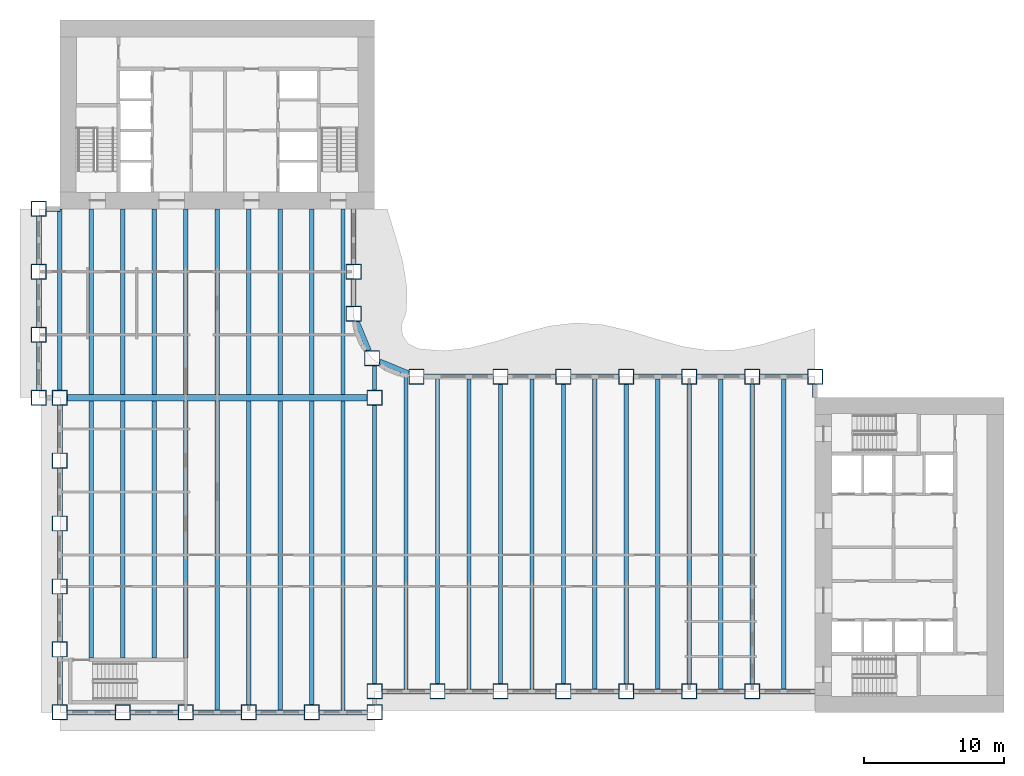
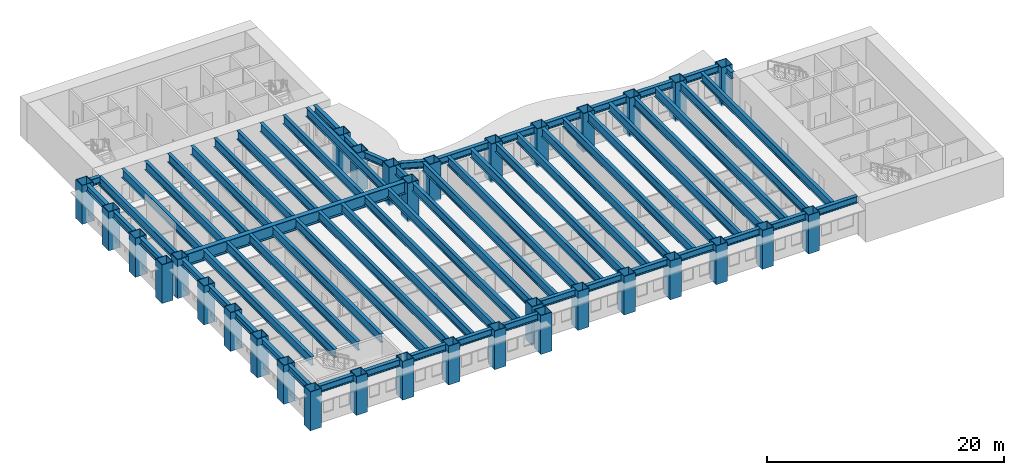
# One storey, part 1 of 15: 67 beams, 33 columns.
"""IFC4 building model written with IfcOpenShell, lengths in metres."""

from ifc_helpers import new_model, si_unit, direction, frame, origin, origin_2d, place, context, subcontext, project, spatial, hollow_rectangle, i_section, extrude, material, material_profile, profile_set, type_object, element, save


model = new_model("IFC4")

# Units and contexts
model_context = context("Model", 3, precision=1e-05, world=origin(), true_north=direction((0.0, 1.0)))
body_context = subcontext(model_context, "Body", "Model", "MODEL_VIEW")
ifc_project = project(units=[si_unit("LENGTHUNIT", "METRE"), si_unit("AREAUNIT", "SQUARE_METRE"), si_unit("VOLUMEUNIT", "CUBIC_METRE"), si_unit("PLANEANGLEUNIT", "RADIAN"), si_unit("MASSUNIT", "GRAM", prefix="KILO")], contexts=[model_context])

# Site, building, storey
site_placement = place(None, origin())
site = spatial("IfcSite", under=ifc_project, at=site_placement, CompositionType="ELEMENT")
building_placement = place(site_placement, origin())
building = spatial("IfcBuilding", under=site, at=building_placement, Name="Sennacour Bend Tower", CompositionType="ELEMENT")
storey_placement = place(building_placement, frame((0.0, 0.0, 37.0)))
storey = spatial("IfcBuildingStorey", under=building, at=storey_placement, Name="L07", CompositionType="ELEMENT", Elevation=37.0)

# Columns
ifc_material_1 = material(Name="Steel ASTM A572 Grade 50", Category="steel")
ifc_material_profile_1 = material_profile(ifc_material_1, hollow_rectangle(XDim=1.10009765625, YDim=1.10009765625, WallThickness=0.06005859375, at=origin_2d()), Name="Steel ASTM A572 Grade 50", Category="steel")
ifc_profile_set_1 = profile_set([ifc_material_profile_1], Name="Steel ASTM A572 Grade 50")
column_type = type_object("IfcColumnType", Name="Box column 1100", PredefinedType="COLUMN", material=ifc_profile_set_1)
for number, where, z_axis, x_axis, name in (
    (1, (-1.5, 22.5, -0.14990234375), (0.0, 0.0, 1.0), (1.0, 0.0, 0.0), "Perimeter column C1 L07-001"),
    (2, (-1.5, 27.0, -0.14990234375), (0.0, 0.0, 1.0), (1.0, 0.0, 0.0), "Perimeter column C1 L07-002"),
    (3, (-1.5, 31.5, -0.14990234375), (0.0, 0.0, 1.0), (1.0, 0.0, 0.0), "Perimeter column C1 L07-003"),
    (4, (-1.5, 36.0, -0.14990234375), (0.0, 0.0, 1.0), (1.0, 0.0, 0.0), "Perimeter column C1 L07-004"),
    (5, (0.0, 0.0, -0.14990234375), (0.0, 0.0, 1.0), (1.0, 0.0, 0.0), "Perimeter column C1 L07-005"),
    (6, (0.0, 4.5, -0.14990234375), (0.0, 0.0, 1.0), (1.0, 0.0, 0.0), "Perimeter column C1 L07-006"),
    (7, (0.0, 9.0, -0.14990234375), (0.0, 0.0, 1.0), (1.0, 0.0, 0.0), "Perimeter column C1 L07-007"),
    (8, (0.0, 13.5, -0.14990234375), (0.0, 0.0, 1.0), (1.0, 0.0, 0.0), "Perimeter column C1 L07-008"),
    (9, (0.0, 18.0, -0.14990234375), (0.0, 0.0, 1.0), (1.0, 0.0, 0.0), "Perimeter column C1 L07-009"),
    (10, (0.0, 22.5, -0.14990234375), (0.0, 0.0, 1.0), (1.0, 0.0, 0.0), "Perimeter column C1 L07-010"),
    (11, (4.5, 0.0, -0.14990234375), (0.0, 0.0, 1.0), (1.0, 0.0, 0.0), "Perimeter column C1 L07-011"),
    (12, (9.0, 0.0, -0.14990234375), (0.0, 0.0, 1.0), (1.0, 0.0, 0.0), "Perimeter column C1 L07-012"),
    (13, (13.5, 0.0, -0.14990234375), (0.0, 0.0, 1.0), (1.0, 0.0, 0.0), "Perimeter column C1 L07-013"),
    (14, (18.0, 0.0, -0.14990234375), (0.0, 0.0, 1.0), (1.0, 0.0, 0.0), "Perimeter column C1 L07-014"),
    (15, (21.0, 28.5, -0.14990234375), (0.0, 0.0, 1.0), (1.0, 0.0, 0.0), "Perimeter column C1 L07-015"),
    (16, (21.0, 31.5, -0.14990234375), (0.0, 0.0, 1.0), (1.0, 0.0, 0.0), "Perimeter column C1 L07-016"),
    (17, (22.318115234375, 25.318115234375, -0.14990234375), (0.0, 0.0, 1.0), (1.0, 0.0, 0.0), "Perimeter column C1 L07-017"),
    (18, (22.5, 0.0, -0.14990234375), (0.0, 0.0, 1.0), (1.0, 0.0, 0.0), "Perimeter column C1 L07-018"),
    (19, (22.5, 1.5, -0.14990234375), (0.0, 0.0, 1.0), (1.0, 0.0, 0.0), "Perimeter column C1 L07-019"),
    (20, (22.5, 22.5, -0.14990234375), (0.0, 0.0, 1.0), (1.0, 0.0, 0.0), "Knuckle column C1 L07-020"),
    (21, (25.5, 24.0, -0.14990234375), (0.0, 0.0, 1.0), (1.0, 0.0, 0.0), "Perimeter column C1 L07-021"),
    (22, (27.0, 1.5, -0.14990234375), (0.0, 0.0, 1.0), (1.0, 0.0, 0.0), "Perimeter column C1 L07-022"),
    (23, (31.5, 1.5, -0.14990234375), (0.0, 0.0, 1.0), (1.0, 0.0, 0.0), "Perimeter column C1 L07-023"),
    (24, (31.5, 24.0, -0.14990234375), (0.0, 0.0, 1.0), (1.0, 0.0, 0.0), "Perimeter column C1 L07-024"),
    (25, (36.0, 1.5, -0.14990234375), (0.0, 0.0, 1.0), (1.0, 0.0, 0.0), "Perimeter column C1 L07-025"),
    (26, (36.0, 24.0, -0.14990234375), (0.0, 0.0, 1.0), (1.0, 0.0, 0.0), "Perimeter column C1 L07-026"),
    (27, (40.5, 1.5, -0.14990234375), (0.0, 0.0, 1.0), (1.0, 0.0, 0.0), "Perimeter column C1 L07-027"),
    (28, (40.5, 24.0, -0.14990234375), (0.0, 0.0, 1.0), (1.0, 0.0, 0.0), "Perimeter column C1 L07-028"),
    (29, (45.0, 1.5, -0.14990234375), (0.0, 0.0, 1.0), (1.0, 0.0, 0.0), "Perimeter column C1 L07-029"),
    (30, (45.0, 24.0, -0.14990234375), (0.0, 0.0, 1.0), (1.0, 0.0, 0.0), "Perimeter column C1 L07-030"),
    (31, (49.5, 1.5, -0.14990234375), (0.0, 0.0, 1.0), (1.0, 0.0, 0.0), "Perimeter column C1 L07-031"),
    (32, (49.5, 24.0, -0.14990234375), (0.0, 0.0, 1.0), (1.0, 0.0, 0.0), "Perimeter column C1 L07-032"),
    (33, (54.0, 24.0, -0.14990234375), (0.0, 0.0, 1.0), (1.0, 0.0, 0.0), "Perimeter column C1 L07-033"),
):
    element("IfcColumn", number, at=place(storey_placement, frame(where, z_axis=z_axis, x_axis=x_axis)), inside=storey, type_object=column_type, Name=name, PredefinedType="COLUMN", context=body_context, shape_type="SweptSolid", body=[
        extrude(hollow_rectangle(XDim=1.10009765625, YDim=1.10009765625, WallThickness=0.06005859375, at=origin_2d()), origin(), (0.0, 0.0, 1.0), 4.0),
    ])

# Beams
ifc_material_2 = material(Name="Steel ASTM A992 Grade 50", Category="steel")
ifc_material_profile_2 = material_profile(ifc_material_2, i_section(OverallWidth=0.304931640625, OverallDepth=0.912109375, WebThickness=0.015869140625, FlangeThickness=0.02392578125, FilletRadius=0.01904296875, at=origin_2d()), Name="Steel ASTM A992 Grade 50", Category="steel")
ifc_profile_set_2 = profile_set([ifc_material_profile_2], Name="Steel ASTM A992 Grade 50")
beam_type_1 = type_object("IfcBeamType", Name="Floor beam W920X223", PredefinedType="BEAM", material=ifc_profile_set_2)
beam_1_placement = place(storey_placement, frame((0.0, 23.050048828125, 3.39404296875), z_axis=(0.0, 1.0, 0.0), x_axis=(-1.0, 0.0, 0.0)))
element("IfcBeam", 34, at=beam_1_placement, inside=storey, type_object=beam_type_1, Name="Floor beam FBM1 L08-001", PredefinedType="BEAM", context=body_context, shape_type="SweptSolid", body=[
    extrude(i_section(OverallWidth=0.304931640625, OverallDepth=0.912109375, WebThickness=0.015869140625, FlangeThickness=0.02392578125, FilletRadius=0.01904296875, at=origin_2d()), origin(), (0.0, 0.0, 1.0), 12.949951171875),
])
beam_2_placement = place(storey_placement, frame((2.25, 3.875, 3.39404296875), z_axis=(0.0, 1.0, 0.0), x_axis=(-1.0, 0.0, 0.0)))
element("IfcBeam", 35, at=beam_2_placement, inside=storey, type_object=beam_type_1, Name="Floor beam FBM1 L08-002", PredefinedType="BEAM", context=body_context, shape_type="SweptSolid", body=[
    extrude(i_section(OverallWidth=0.304931640625, OverallDepth=0.912109375, WebThickness=0.015869140625, FlangeThickness=0.02392578125, FilletRadius=0.01904296875, at=origin_2d()), origin(), (0.0, 0.0, 1.0), 18.39990234375),
])
beam_3_placement = place(storey_placement, frame((2.25, 22.72509765625, 3.39404296875), z_axis=(0.0, 1.0, 0.0), x_axis=(-1.0, 0.0, 0.0)))
element("IfcBeam", 36, at=beam_3_placement, inside=storey, type_object=beam_type_1, Name="Floor beam FBM1 L08-003", PredefinedType="BEAM", context=body_context, shape_type="SweptSolid", body=[
    extrude(i_section(OverallWidth=0.304931640625, OverallDepth=0.912109375, WebThickness=0.015869140625, FlangeThickness=0.02392578125, FilletRadius=0.01904296875, at=origin_2d()), origin(), (0.0, 0.0, 1.0), 13.27490234375),
])
beam_4_placement = place(storey_placement, frame((4.5, 3.875, 3.39404296875), z_axis=(0.0, 1.0, 0.0), x_axis=(-1.0, 0.0, 0.0)))
element("IfcBeam", 37, at=beam_4_placement, inside=storey, type_object=beam_type_1, Name="Floor beam FBM1 L08-004", PredefinedType="BEAM", context=body_context, shape_type="SweptSolid", body=[
    extrude(i_section(OverallWidth=0.304931640625, OverallDepth=0.912109375, WebThickness=0.015869140625, FlangeThickness=0.02392578125, FilletRadius=0.01904296875, at=origin_2d()), origin(), (0.0, 0.0, 1.0), 18.39990234375),
])
beam_5_placement = place(storey_placement, frame((4.5, 22.72509765625, 3.39404296875), z_axis=(0.0, 1.0, 0.0), x_axis=(-1.0, 0.0, 0.0)))
element("IfcBeam", 38, at=beam_5_placement, inside=storey, type_object=beam_type_1, Name="Floor beam FBM1 L08-005", PredefinedType="BEAM", context=body_context, shape_type="SweptSolid", body=[
    extrude(i_section(OverallWidth=0.304931640625, OverallDepth=0.912109375, WebThickness=0.015869140625, FlangeThickness=0.02392578125, FilletRadius=0.01904296875, at=origin_2d()), origin(), (0.0, 0.0, 1.0), 13.27490234375),
])
beam_6_placement = place(storey_placement, frame((6.75, 3.875, 3.39404296875), z_axis=(0.0, 1.0, 0.0), x_axis=(-1.0, 0.0, 0.0)))
element("IfcBeam", 39, at=beam_6_placement, inside=storey, type_object=beam_type_1, Name="Floor beam FBM1 L08-006", PredefinedType="BEAM", context=body_context, shape_type="SweptSolid", body=[
    extrude(i_section(OverallWidth=0.304931640625, OverallDepth=0.912109375, WebThickness=0.015869140625, FlangeThickness=0.02392578125, FilletRadius=0.01904296875, at=origin_2d()), origin(), (0.0, 0.0, 1.0), 18.39990234375),
])
beam_7_placement = place(storey_placement, frame((6.75, 22.72509765625, 3.39404296875), z_axis=(0.0, 1.0, 0.0), x_axis=(-1.0, 0.0, 0.0)))
element("IfcBeam", 40, at=beam_7_placement, inside=storey, type_object=beam_type_1, Name="Floor beam FBM1 L08-007", PredefinedType="BEAM", context=body_context, shape_type="SweptSolid", body=[
    extrude(i_section(OverallWidth=0.304931640625, OverallDepth=0.912109375, WebThickness=0.015869140625, FlangeThickness=0.02392578125, FilletRadius=0.01904296875, at=origin_2d()), origin(), (0.0, 0.0, 1.0), 13.27490234375),
])
beam_8_placement = place(storey_placement, frame((9.0, 3.875, 3.39404296875), z_axis=(0.0, 1.0, 0.0), x_axis=(-1.0, 0.0, 0.0)))
element("IfcBeam", 41, at=beam_8_placement, inside=storey, type_object=beam_type_1, Name="Floor beam FBM1 L08-008", PredefinedType="BEAM", context=body_context, shape_type="SweptSolid", body=[
    extrude(i_section(OverallWidth=0.304931640625, OverallDepth=0.912109375, WebThickness=0.015869140625, FlangeThickness=0.02392578125, FilletRadius=0.01904296875, at=origin_2d()), origin(), (0.0, 0.0, 1.0), 18.39990234375),
])
beam_9_placement = place(storey_placement, frame((9.0, 22.72509765625, 3.39404296875), z_axis=(0.0, 1.0, 0.0), x_axis=(-1.0, 0.0, 0.0)))
element("IfcBeam", 42, at=beam_9_placement, inside=storey, type_object=beam_type_1, Name="Floor beam FBM1 L08-009", PredefinedType="BEAM", context=body_context, shape_type="SweptSolid", body=[
    extrude(i_section(OverallWidth=0.304931640625, OverallDepth=0.912109375, WebThickness=0.015869140625, FlangeThickness=0.02392578125, FilletRadius=0.01904296875, at=origin_2d()), origin(), (0.0, 0.0, 1.0), 13.27490234375),
])
beam_10_placement = place(storey_placement, frame((11.25, 0.178955078125, 3.39404296875), z_axis=(0.0, 1.0, 0.0), x_axis=(-1.0, 0.0, 0.0)))
element("IfcBeam", 43, at=beam_10_placement, inside=storey, type_object=beam_type_1, Name="Floor beam FBM1 L08-010", PredefinedType="BEAM", context=body_context, shape_type="SweptSolid", body=[
    extrude(i_section(OverallWidth=0.304931640625, OverallDepth=0.912109375, WebThickness=0.015869140625, FlangeThickness=0.02392578125, FilletRadius=0.01904296875, at=origin_2d()), origin(), (0.0, 0.0, 1.0), 22.095947265625),
])
beam_11_placement = place(storey_placement, frame((11.25, 22.72509765625, 3.39404296875), z_axis=(0.0, 1.0, 0.0), x_axis=(-1.0, 0.0, 0.0)))
element("IfcBeam", 44, at=beam_11_placement, inside=storey, type_object=beam_type_1, Name="Floor beam FBM1 L08-011", PredefinedType="BEAM", context=body_context, shape_type="SweptSolid", body=[
    extrude(i_section(OverallWidth=0.304931640625, OverallDepth=0.912109375, WebThickness=0.015869140625, FlangeThickness=0.02392578125, FilletRadius=0.01904296875, at=origin_2d()), origin(), (0.0, 0.0, 1.0), 13.27490234375),
])
beam_12_placement = place(storey_placement, frame((13.5, 0.550048828125, 3.39404296875), z_axis=(0.0, 1.0, 0.0), x_axis=(-1.0, 0.0, 0.0)))
element("IfcBeam", 45, at=beam_12_placement, inside=storey, type_object=beam_type_1, Name="Floor beam FBM1 L08-012", PredefinedType="BEAM", context=body_context, shape_type="SweptSolid", body=[
    extrude(i_section(OverallWidth=0.304931640625, OverallDepth=0.912109375, WebThickness=0.015869140625, FlangeThickness=0.02392578125, FilletRadius=0.01904296875, at=origin_2d()), origin(), (0.0, 0.0, 1.0), 21.724853515625),
])
beam_13_placement = place(storey_placement, frame((13.5, 22.72509765625, 3.39404296875), z_axis=(0.0, 1.0, 0.0), x_axis=(-1.0, 0.0, 0.0)))
element("IfcBeam", 46, at=beam_13_placement, inside=storey, type_object=beam_type_1, Name="Floor beam FBM1 L08-013", PredefinedType="BEAM", context=body_context, shape_type="SweptSolid", body=[
    extrude(i_section(OverallWidth=0.304931640625, OverallDepth=0.912109375, WebThickness=0.015869140625, FlangeThickness=0.02392578125, FilletRadius=0.01904296875, at=origin_2d()), origin(), (0.0, 0.0, 1.0), 13.27490234375),
])
beam_14_placement = place(storey_placement, frame((15.75, 0.178955078125, 3.39404296875), z_axis=(0.0, 1.0, 0.0), x_axis=(-1.0, 0.0, 0.0)))
element("IfcBeam", 47, at=beam_14_placement, inside=storey, type_object=beam_type_1, Name="Floor beam FBM1 L08-014", PredefinedType="BEAM", context=body_context, shape_type="SweptSolid", body=[
    extrude(i_section(OverallWidth=0.304931640625, OverallDepth=0.912109375, WebThickness=0.015869140625, FlangeThickness=0.02392578125, FilletRadius=0.01904296875, at=origin_2d()), origin(), (0.0, 0.0, 1.0), 22.095947265625),
])
beam_15_placement = place(storey_placement, frame((15.75, 22.72509765625, 3.39404296875), z_axis=(0.0, 1.0, 0.0), x_axis=(-1.0, 0.0, 0.0)))
element("IfcBeam", 48, at=beam_15_placement, inside=storey, type_object=beam_type_1, Name="Floor beam FBM1 L08-015", PredefinedType="BEAM", context=body_context, shape_type="SweptSolid", body=[
    extrude(i_section(OverallWidth=0.304931640625, OverallDepth=0.912109375, WebThickness=0.015869140625, FlangeThickness=0.02392578125, FilletRadius=0.01904296875, at=origin_2d()), origin(), (0.0, 0.0, 1.0), 13.27490234375),
])
beam_16_placement = place(storey_placement, frame((18.0, 0.550048828125, 3.39404296875), z_axis=(0.0, 1.0, 0.0), x_axis=(-1.0, 0.0, 0.0)))
element("IfcBeam", 49, at=beam_16_placement, inside=storey, type_object=beam_type_1, Name="Floor beam FBM1 L08-016", PredefinedType="BEAM", context=body_context, shape_type="SweptSolid", body=[
    extrude(i_section(OverallWidth=0.304931640625, OverallDepth=0.912109375, WebThickness=0.015869140625, FlangeThickness=0.02392578125, FilletRadius=0.01904296875, at=origin_2d()), origin(), (0.0, 0.0, 1.0), 21.724853515625),
])
beam_17_placement = place(storey_placement, frame((18.0, 22.72509765625, 3.39404296875), z_axis=(0.0, 1.0, 0.0), x_axis=(-1.0, 0.0, 0.0)))
element("IfcBeam", 50, at=beam_17_placement, inside=storey, type_object=beam_type_1, Name="Floor beam FBM1 L08-017", PredefinedType="BEAM", context=body_context, shape_type="SweptSolid", body=[
    extrude(i_section(OverallWidth=0.304931640625, OverallDepth=0.912109375, WebThickness=0.015869140625, FlangeThickness=0.02392578125, FilletRadius=0.01904296875, at=origin_2d()), origin(), (0.0, 0.0, 1.0), 13.27490234375),
])
beam_18_placement = place(storey_placement, frame((20.25, 0.178955078125, 3.39404296875), z_axis=(0.0, 1.0, 0.0), x_axis=(-1.0, 0.0, 0.0)))
element("IfcBeam", 51, at=beam_18_placement, inside=storey, type_object=beam_type_1, Name="Floor beam FBM1 L08-018", PredefinedType="BEAM", context=body_context, shape_type="SweptSolid", body=[
    extrude(i_section(OverallWidth=0.304931640625, OverallDepth=0.912109375, WebThickness=0.015869140625, FlangeThickness=0.02392578125, FilletRadius=0.01904296875, at=origin_2d()), origin(), (0.0, 0.0, 1.0), 22.095947265625),
])
beam_19_placement = place(storey_placement, frame((20.25, 22.72509765625, 3.39404296875), z_axis=(0.0, 1.0, 0.0), x_axis=(-1.0, 0.0, 0.0)))
element("IfcBeam", 52, at=beam_19_placement, inside=storey, type_object=beam_type_1, Name="Floor beam FBM1 L08-019", PredefinedType="BEAM", context=body_context, shape_type="SweptSolid", body=[
    extrude(i_section(OverallWidth=0.304931640625, OverallDepth=0.912109375, WebThickness=0.015869140625, FlangeThickness=0.02392578125, FilletRadius=0.01904296875, at=origin_2d()), origin(), (0.0, 0.0, 1.0), 13.27490234375),
])
beam_20_placement = place(storey_placement, frame((22.5, 2.050048828125, 3.39404296875), z_axis=(0.0, 1.0, 0.0), x_axis=(-1.0, 0.0, 0.0)))
element("IfcBeam", 53, at=beam_20_placement, inside=storey, type_object=beam_type_1, Name="Floor beam FBM1 L08-020", PredefinedType="BEAM", context=body_context, shape_type="SweptSolid", body=[
    extrude(i_section(OverallWidth=0.304931640625, OverallDepth=0.912109375, WebThickness=0.015869140625, FlangeThickness=0.02392578125, FilletRadius=0.01904296875, at=origin_2d()), origin(), (0.0, 0.0, 1.0), 19.89990234375),
])
beam_21_placement = place(storey_placement, frame((22.5, 23.050048828125, 3.39404296875), z_axis=(0.0, 1.0, 0.0), x_axis=(-1.0, 0.0, 0.0)))
element("IfcBeam", 54, at=beam_21_placement, inside=storey, type_object=beam_type_1, Name="Floor beam FBM1 L08-021", PredefinedType="BEAM", context=body_context, shape_type="SweptSolid", body=[
    extrude(i_section(OverallWidth=0.304931640625, OverallDepth=0.912109375, WebThickness=0.015869140625, FlangeThickness=0.02392578125, FilletRadius=0.01904296875, at=origin_2d()), origin(), (0.0, 0.0, 1.0), 1.718017578125),
])
beam_22_placement = place(storey_placement, frame((24.75, 1.678955078125, 3.39404296875), z_axis=(0.0, 1.0, 0.0), x_axis=(-1.0, 0.0, 0.0)))
element("IfcBeam", 55, at=beam_22_placement, inside=storey, type_object=beam_type_1, Name="Floor beam FBM1 L08-022", PredefinedType="BEAM", context=body_context, shape_type="SweptSolid", body=[
    extrude(i_section(OverallWidth=0.304931640625, OverallDepth=0.912109375, WebThickness=0.015869140625, FlangeThickness=0.02392578125, FilletRadius=0.01904296875, at=origin_2d()), origin(), (0.0, 0.0, 1.0), 22.43798828125),
])
beam_23_placement = place(storey_placement, frame((27.0, 2.050048828125, 3.39404296875), z_axis=(0.0, 1.0, 0.0), x_axis=(-1.0, 0.0, 0.0)))
element("IfcBeam", 56, at=beam_23_placement, inside=storey, type_object=beam_type_1, Name="Floor beam FBM1 L08-023", PredefinedType="BEAM", context=body_context, shape_type="SweptSolid", body=[
    extrude(i_section(OverallWidth=0.304931640625, OverallDepth=0.912109375, WebThickness=0.015869140625, FlangeThickness=0.02392578125, FilletRadius=0.01904296875, at=origin_2d()), origin(), (0.0, 0.0, 1.0), 21.77099609375),
])
beam_24_placement = place(storey_placement, frame((29.25, 1.678955078125, 3.39404296875), z_axis=(0.0, 1.0, 0.0), x_axis=(-1.0, 0.0, 0.0)))
element("IfcBeam", 57, at=beam_24_placement, inside=storey, type_object=beam_type_1, Name="Floor beam FBM1 L08-024", PredefinedType="BEAM", context=body_context, shape_type="SweptSolid", body=[
    extrude(i_section(OverallWidth=0.304931640625, OverallDepth=0.912109375, WebThickness=0.015869140625, FlangeThickness=0.02392578125, FilletRadius=0.01904296875, at=origin_2d()), origin(), (0.0, 0.0, 1.0), 22.14208984375),
])
beam_25_placement = place(storey_placement, frame((31.5, 2.050048828125, 3.39404296875), z_axis=(0.0, 1.0, 0.0), x_axis=(-1.0, 0.0, 0.0)))
element("IfcBeam", 58, at=beam_25_placement, inside=storey, type_object=beam_type_1, Name="Floor beam FBM1 L08-025", PredefinedType="BEAM", context=body_context, shape_type="SweptSolid", body=[
    extrude(i_section(OverallWidth=0.304931640625, OverallDepth=0.912109375, WebThickness=0.015869140625, FlangeThickness=0.02392578125, FilletRadius=0.01904296875, at=origin_2d()), origin(), (0.0, 0.0, 1.0), 21.39990234375),
])
beam_26_placement = place(storey_placement, frame((33.75, 1.678955078125, 3.39404296875), z_axis=(0.0, 1.0, 0.0), x_axis=(-1.0, 0.0, 0.0)))
element("IfcBeam", 59, at=beam_26_placement, inside=storey, type_object=beam_type_1, Name="Floor beam FBM1 L08-026", PredefinedType="BEAM", context=body_context, shape_type="SweptSolid", body=[
    extrude(i_section(OverallWidth=0.304931640625, OverallDepth=0.912109375, WebThickness=0.015869140625, FlangeThickness=0.02392578125, FilletRadius=0.01904296875, at=origin_2d()), origin(), (0.0, 0.0, 1.0), 22.14208984375),
])
beam_27_placement = place(storey_placement, frame((36.0, 2.050048828125, 3.39404296875), z_axis=(0.0, 1.0, 0.0), x_axis=(-1.0, 0.0, 0.0)))
element("IfcBeam", 60, at=beam_27_placement, inside=storey, type_object=beam_type_1, Name="Floor beam FBM1 L08-027", PredefinedType="BEAM", context=body_context, shape_type="SweptSolid", body=[
    extrude(i_section(OverallWidth=0.304931640625, OverallDepth=0.912109375, WebThickness=0.015869140625, FlangeThickness=0.02392578125, FilletRadius=0.01904296875, at=origin_2d()), origin(), (0.0, 0.0, 1.0), 21.39990234375),
])
beam_28_placement = place(storey_placement, frame((38.25, 1.678955078125, 3.39404296875), z_axis=(0.0, 1.0, 0.0), x_axis=(-1.0, 0.0, 0.0)))
element("IfcBeam", 61, at=beam_28_placement, inside=storey, type_object=beam_type_1, Name="Floor beam FBM1 L08-028", PredefinedType="BEAM", context=body_context, shape_type="SweptSolid", body=[
    extrude(i_section(OverallWidth=0.304931640625, OverallDepth=0.912109375, WebThickness=0.015869140625, FlangeThickness=0.02392578125, FilletRadius=0.01904296875, at=origin_2d()), origin(), (0.0, 0.0, 1.0), 22.14208984375),
])
beam_29_placement = place(storey_placement, frame((40.5, 2.050048828125, 3.39404296875), z_axis=(0.0, 1.0, 0.0), x_axis=(-1.0, 0.0, 0.0)))
element("IfcBeam", 62, at=beam_29_placement, inside=storey, type_object=beam_type_1, Name="Floor beam FBM1 L08-029", PredefinedType="BEAM", context=body_context, shape_type="SweptSolid", body=[
    extrude(i_section(OverallWidth=0.304931640625, OverallDepth=0.912109375, WebThickness=0.015869140625, FlangeThickness=0.02392578125, FilletRadius=0.01904296875, at=origin_2d()), origin(), (0.0, 0.0, 1.0), 21.39990234375),
])
beam_30_placement = place(storey_placement, frame((42.75, 1.678955078125, 3.39404296875), z_axis=(0.0, 1.0, 0.0), x_axis=(-1.0, 0.0, 0.0)))
element("IfcBeam", 63, at=beam_30_placement, inside=storey, type_object=beam_type_1, Name="Floor beam FBM1 L08-030", PredefinedType="BEAM", context=body_context, shape_type="SweptSolid", body=[
    extrude(i_section(OverallWidth=0.304931640625, OverallDepth=0.912109375, WebThickness=0.015869140625, FlangeThickness=0.02392578125, FilletRadius=0.01904296875, at=origin_2d()), origin(), (0.0, 0.0, 1.0), 22.14208984375),
])
beam_31_placement = place(storey_placement, frame((45.0, 2.050048828125, 3.39404296875), z_axis=(0.0, 1.0, 0.0), x_axis=(-1.0, 0.0, 0.0)))
element("IfcBeam", 64, at=beam_31_placement, inside=storey, type_object=beam_type_1, Name="Floor beam FBM1 L08-031", PredefinedType="BEAM", context=body_context, shape_type="SweptSolid", body=[
    extrude(i_section(OverallWidth=0.304931640625, OverallDepth=0.912109375, WebThickness=0.015869140625, FlangeThickness=0.02392578125, FilletRadius=0.01904296875, at=origin_2d()), origin(), (0.0, 0.0, 1.0), 21.39990234375),
])
beam_32_placement = place(storey_placement, frame((47.25, 1.678955078125, 3.39404296875), z_axis=(0.0, 1.0, 0.0), x_axis=(-1.0, 0.0, 0.0)))
element("IfcBeam", 65, at=beam_32_placement, inside=storey, type_object=beam_type_1, Name="Floor beam FBM1 L08-032", PredefinedType="BEAM", context=body_context, shape_type="SweptSolid", body=[
    extrude(i_section(OverallWidth=0.304931640625, OverallDepth=0.912109375, WebThickness=0.015869140625, FlangeThickness=0.02392578125, FilletRadius=0.01904296875, at=origin_2d()), origin(), (0.0, 0.0, 1.0), 22.14208984375),
])
beam_33_placement = place(storey_placement, frame((49.5, 2.050048828125, 3.39404296875), z_axis=(0.0, 1.0, 0.0), x_axis=(-1.0, 0.0, 0.0)))
element("IfcBeam", 66, at=beam_33_placement, inside=storey, type_object=beam_type_1, Name="Floor beam FBM1 L08-033", PredefinedType="BEAM", context=body_context, shape_type="SweptSolid", body=[
    extrude(i_section(OverallWidth=0.304931640625, OverallDepth=0.912109375, WebThickness=0.015869140625, FlangeThickness=0.02392578125, FilletRadius=0.01904296875, at=origin_2d()), origin(), (0.0, 0.0, 1.0), 21.39990234375),
])
beam_34_placement = place(storey_placement, frame((51.75, 1.678955078125, 3.39404296875), z_axis=(0.0, 1.0, 0.0), x_axis=(-1.0, 0.0, 0.0)))
element("IfcBeam", 67, at=beam_34_placement, inside=storey, type_object=beam_type_1, Name="Floor beam FBM1 L08-034", PredefinedType="BEAM", context=body_context, shape_type="SweptSolid", body=[
    extrude(i_section(OverallWidth=0.304931640625, OverallDepth=0.912109375, WebThickness=0.015869140625, FlangeThickness=0.02392578125, FilletRadius=0.01904296875, at=origin_2d()), origin(), (0.0, 0.0, 1.0), 22.14208984375),
])
ifc_material_profile_3 = material_profile(ifc_material_1, i_section(OverallWidth=0.449951171875, OverallDepth=1.25, WebThickness=0.028076171875, FlangeThickness=0.050048828125, at=origin_2d()), Name="Steel ASTM A572 Grade 50", Category="steel")
ifc_profile_set_3 = profile_set([ifc_material_profile_3], Name="Steel ASTM A572 Grade 50")
beam_type_2 = type_object("IfcBeamType", Name="Knuckle girder 1250", PredefinedType="USERDEFINED", material=ifc_profile_set_3)
beam_35_placement = place(storey_placement, frame((0.550048828125, 22.5, 3.22509765625), z_axis=(1.0, 0.0, 0.0), x_axis=(0.0, 1.0, 0.0)))
element("IfcBeam", 68, at=beam_35_placement, inside=storey, type_object=beam_type_2, Name="Knuckle girder GK L08-001", ObjectType="KNUCKLE GIRDER", PredefinedType="USERDEFINED", context=body_context, shape_type="SweptSolid", body=[
    extrude(i_section(OverallWidth=0.449951171875, OverallDepth=1.25, WebThickness=0.028076171875, FlangeThickness=0.050048828125, at=origin_2d()), origin(), (0.0, 0.0, 1.0), 21.39990234375),
])
ifc_material_profile_4 = material_profile(ifc_material_2, i_section(OverallWidth=0.35791015625, OverallDepth=0.7060546875, WebThickness=0.018310546875, FlangeThickness=0.0302734375, FilletRadius=0.02001953125, at=origin_2d()), Name="Steel ASTM A992 Grade 50", Category="steel")
ifc_profile_set_4 = profile_set([ifc_material_profile_4], Name="Steel ASTM A992 Grade 50")
beam_type_3 = type_object("IfcBeamType", Name="Spandrel beam W690X265", PredefinedType="SPANDREL", material=ifc_profile_set_4)
for number, where, z_axis, x_axis, name in (
    (69, (0.0, 0.550048828125, 3.4970703125), (0.0, 1.0, 0.0), (-1.0, 0.0, 0.0), "Spandrel beam SP2 L08-001"),
    (70, (0.0, 5.050048828125, 3.4970703125), (0.0, 1.0, 0.0), (-1.0, 0.0, 0.0), "Spandrel beam SP2 L08-002"),
    (71, (0.0, 9.550048828125, 3.4970703125), (0.0, 1.0, 0.0), (-1.0, 0.0, 0.0), "Spandrel beam SP2 L08-003"),
    (72, (0.0, 14.050048828125, 3.4970703125), (0.0, 1.0, 0.0), (-1.0, 0.0, 0.0), "Spandrel beam SP2 L08-004"),
    (73, (0.0, 18.550048828125, 3.4970703125), (0.0, 1.0, 0.0), (-1.0, 0.0, 0.0), "Spandrel beam SP2 L08-005"),
    (74, (-1.5, 23.050048828125, 3.4970703125), (0.0, 1.0, 0.0), (-1.0, 0.0, 0.0), "Spandrel beam SP2 L08-006"),
    (75, (-1.5, 27.550048828125, 3.4970703125), (0.0, 1.0, 0.0), (-1.0, 0.0, 0.0), "Spandrel beam SP2 L08-007"),
    (76, (-1.5, 32.050048828125, 3.4970703125), (0.0, 1.0, 0.0), (-1.0, 0.0, 0.0), "Spandrel beam SP2 L08-008"),
):
    element("IfcBeam", number, at=place(storey_placement, frame(where, z_axis=z_axis, x_axis=x_axis)), inside=storey, type_object=beam_type_3, Name=name, PredefinedType="SPANDREL", context=body_context, shape_type="SweptSolid", body=[
        extrude(i_section(OverallWidth=0.35791015625, OverallDepth=0.7060546875, WebThickness=0.018310546875, FlangeThickness=0.0302734375, FilletRadius=0.02001953125, at=origin_2d()), origin(), (0.0, 0.0, 1.0), 3.39990234375),
    ])
beam_36_placement = place(storey_placement, frame((-0.949951171875, 36.0, 3.4970703125), z_axis=(1.0, 0.0, 0.0), x_axis=(0.0, 1.0, 0.0)))
element("IfcBeam", 77, at=beam_36_placement, inside=storey, type_object=beam_type_3, Name="Spandrel beam SP2 L08-009", PredefinedType="SPANDREL", context=body_context, shape_type="SweptSolid", body=[
    extrude(i_section(OverallWidth=0.35791015625, OverallDepth=0.7060546875, WebThickness=0.018310546875, FlangeThickness=0.0302734375, FilletRadius=0.02001953125, at=origin_2d()), origin(), (0.0, 0.0, 1.0), 0.949951171875),
])
beam_37_placement = place(storey_placement, frame((21.0, 36.0, 3.4970703125), z_axis=(0.0, -1.0, 0.0), x_axis=(1.0, 0.0, 0.0)))
element("IfcBeam", 78, at=beam_37_placement, inside=storey, type_object=beam_type_3, Name="Spandrel beam SP2 L08-010", PredefinedType="SPANDREL", context=body_context, shape_type="SweptSolid", body=[
    extrude(i_section(OverallWidth=0.35791015625, OverallDepth=0.7060546875, WebThickness=0.018310546875, FlangeThickness=0.0302734375, FilletRadius=0.02001953125, at=origin_2d()), origin(), (0.0, 0.0, 1.0), 3.949951171875),
])
beam_38_placement = place(storey_placement, frame((21.0, 30.949951171875, 3.4970703125), z_axis=(0.0, -1.0, 0.0), x_axis=(1.0, 0.0, 0.0)))
element("IfcBeam", 79, at=beam_38_placement, inside=storey, type_object=beam_type_3, Name="Spandrel beam SP2 L08-011", PredefinedType="SPANDREL", context=body_context, shape_type="SweptSolid", body=[
    extrude(i_section(OverallWidth=0.35791015625, OverallDepth=0.7060546875, WebThickness=0.018310546875, FlangeThickness=0.0302734375, FilletRadius=0.02001953125, at=origin_2d()), origin(), (0.0, 0.0, 1.0), 1.89990234375),
])
for number, where, z_axis, x_axis, name in (
    (80, (21.227783203125, 27.949951171875, 3.4970703125), (0.382645217415, -0.923895360736, 0.0), (0.923895360736, 0.382645217415, 0.0), "Spandrel beam SP2 L08-012"),
    (81, (22.867919921875, 25.090087890625, 3.4970703125), (0.923895360736, -0.382645217415, 0.0), (0.382645217415, 0.923895360736, 0.0), "Spandrel beam SP2 L08-013"),
):
    element("IfcBeam", number, at=place(storey_placement, frame(where, z_axis=z_axis, x_axis=x_axis)), inside=storey, type_object=beam_type_3, Name=name, PredefinedType="SPANDREL", context=body_context, shape_type="SweptSolid", body=[
        extrude(i_section(OverallWidth=0.35791015625, OverallDepth=0.7060546875, WebThickness=0.018310546875, FlangeThickness=0.0302734375, FilletRadius=0.02001953125, at=origin_2d()), origin(), (0.0, 0.0, 1.0), 2.25341796875),
    ])
beam_39_placement = place(storey_placement, frame((26.050048828125, 24.0, 3.4970703125), z_axis=(1.0, 0.0, 0.0), x_axis=(0.0, 1.0, 0.0)))
element("IfcBeam", 82, at=beam_39_placement, inside=storey, type_object=beam_type_3, Name="Spandrel beam SP2 L08-014", PredefinedType="SPANDREL", context=body_context, shape_type="SweptSolid", body=[
    extrude(i_section(OverallWidth=0.35791015625, OverallDepth=0.7060546875, WebThickness=0.018310546875, FlangeThickness=0.0302734375, FilletRadius=0.02001953125, at=origin_2d()), origin(), (0.0, 0.0, 1.0), 4.89990234375),
])
for number, where, z_axis, x_axis, name in (
    (83, (32.050048828125, 24.0, 3.4970703125), (1.0, 0.0, 0.0), (0.0, 1.0, 0.0), "Spandrel beam SP2 L08-015"),
    (84, (36.550048828125, 24.0, 3.4970703125), (1.0, 0.0, 0.0), (0.0, 1.0, 0.0), "Spandrel beam SP2 L08-016"),
    (85, (41.050048828125, 24.0, 3.4970703125), (1.0, 0.0, 0.0), (0.0, 1.0, 0.0), "Spandrel beam SP2 L08-017"),
    (86, (45.550048828125, 24.0, 3.4970703125), (1.0, 0.0, 0.0), (0.0, 1.0, 0.0), "Spandrel beam SP2 L08-018"),
    (87, (50.050048828125, 24.0, 3.4970703125), (1.0, 0.0, 0.0), (0.0, 1.0, 0.0), "Spandrel beam SP2 L08-019"),
):
    element("IfcBeam", number, at=place(storey_placement, frame(where, z_axis=z_axis, x_axis=x_axis)), inside=storey, type_object=beam_type_3, Name=name, PredefinedType="SPANDREL", context=body_context, shape_type="SweptSolid", body=[
        extrude(i_section(OverallWidth=0.35791015625, OverallDepth=0.7060546875, WebThickness=0.018310546875, FlangeThickness=0.0302734375, FilletRadius=0.02001953125, at=origin_2d()), origin(), (0.0, 0.0, 1.0), 3.39990234375),
    ])
beam_40_placement = place(storey_placement, frame((54.0, 23.449951171875, 3.4970703125), z_axis=(0.0, -1.0, 0.0), x_axis=(1.0, 0.0, 0.0)))
element("IfcBeam", 88, at=beam_40_placement, inside=storey, type_object=beam_type_3, Name="Spandrel beam SP2 L08-020", PredefinedType="SPANDREL", context=body_context, shape_type="SweptSolid", body=[
    extrude(i_section(OverallWidth=0.35791015625, OverallDepth=0.7060546875, WebThickness=0.018310546875, FlangeThickness=0.0302734375, FilletRadius=0.02001953125, at=origin_2d()), origin(), (0.0, 0.0, 1.0), 0.949951171875),
])
beam_41_placement = place(storey_placement, frame((54.0, 1.5, 3.4970703125), z_axis=(-1.0, 0.0, 0.0), x_axis=(0.0, -1.0, 0.0)))
element("IfcBeam", 89, at=beam_41_placement, inside=storey, type_object=beam_type_3, Name="Spandrel beam SP2 L08-021", PredefinedType="SPANDREL", context=body_context, shape_type="SweptSolid", body=[
    extrude(i_section(OverallWidth=0.35791015625, OverallDepth=0.7060546875, WebThickness=0.018310546875, FlangeThickness=0.0302734375, FilletRadius=0.02001953125, at=origin_2d()), origin(), (0.0, 0.0, 1.0), 3.949951171875),
])
for number, where, z_axis, x_axis, name in (
    (90, (48.949951171875, 1.5, 3.4970703125), (-1.0, 0.0, 0.0), (0.0, -1.0, 0.0), "Spandrel beam SP2 L08-022"),
    (91, (44.449951171875, 1.5, 3.4970703125), (-1.0, 0.0, 0.0), (0.0, -1.0, 0.0), "Spandrel beam SP2 L08-023"),
    (92, (39.949951171875, 1.5, 3.4970703125), (-1.0, 0.0, 0.0), (0.0, -1.0, 0.0), "Spandrel beam SP2 L08-024"),
    (93, (35.449951171875, 1.5, 3.4970703125), (-1.0, 0.0, 0.0), (0.0, -1.0, 0.0), "Spandrel beam SP2 L08-025"),
    (94, (30.949951171875, 1.5, 3.4970703125), (-1.0, 0.0, 0.0), (0.0, -1.0, 0.0), "Spandrel beam SP2 L08-026"),
    (95, (26.449951171875, 1.5, 3.4970703125), (-1.0, 0.0, 0.0), (0.0, -1.0, 0.0), "Spandrel beam SP2 L08-027"),
    (96, (21.949951171875, 0.0, 3.4970703125), (-1.0, 0.0, 0.0), (0.0, -1.0, 0.0), "Spandrel beam SP2 L08-028"),
    (97, (17.449951171875, 0.0, 3.4970703125), (-1.0, 0.0, 0.0), (0.0, -1.0, 0.0), "Spandrel beam SP2 L08-029"),
    (98, (12.949951171875, 0.0, 3.4970703125), (-1.0, 0.0, 0.0), (0.0, -1.0, 0.0), "Spandrel beam SP2 L08-030"),
    (99, (8.449951171875, 0.0, 3.4970703125), (-1.0, 0.0, 0.0), (0.0, -1.0, 0.0), "Spandrel beam SP2 L08-031"),
    (100, (3.949951171875, 0.0, 3.4970703125), (-1.0, 0.0, 0.0), (0.0, -1.0, 0.0), "Spandrel beam SP2 L08-032"),
):
    element("IfcBeam", number, at=place(storey_placement, frame(where, z_axis=z_axis, x_axis=x_axis)), inside=storey, type_object=beam_type_3, Name=name, PredefinedType="SPANDREL", context=body_context, shape_type="SweptSolid", body=[
        extrude(i_section(OverallWidth=0.35791015625, OverallDepth=0.7060546875, WebThickness=0.018310546875, FlangeThickness=0.0302734375, FilletRadius=0.02001953125, at=origin_2d()), origin(), (0.0, 0.0, 1.0), 3.39990234375),
    ])

save(model, "model.ifc")
